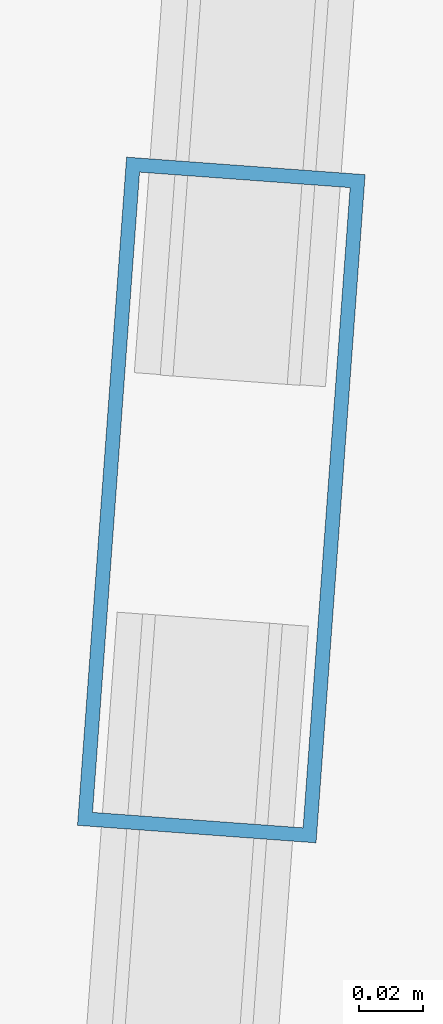
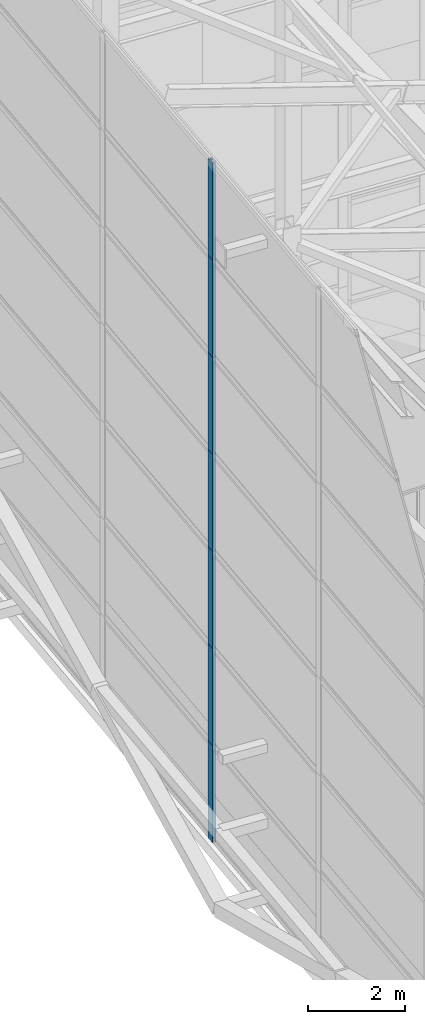
# One storey, part 15 of 56: 7 members, 7 elements without a shape of their own.
"""IFC4 building model written with IfcOpenShell, lengths in metres."""

from ifc_helpers import new_model, si_unit, direction, frame, origin, origin_2d, place, context, subcontext, project, spatial, hollow_rectangle, extrude, source, transform, mapped, material, layer, layer_set, material_profile, profile_set, type_object, element, aggregate, save


model = new_model("IFC4")

# Units and contexts
model_context = context("Model", 3, precision=1e-05, world=origin(), true_north=direction((0.0, 1.0)))
body_context = subcontext(model_context, "Body", "Model", "MODEL_VIEW")
ifc_project = project(units=[si_unit("LENGTHUNIT", "METRE"), si_unit("AREAUNIT", "SQUARE_METRE"), si_unit("VOLUMEUNIT", "CUBIC_METRE"), si_unit("PLANEANGLEUNIT", "RADIAN"), si_unit("MASSUNIT", "GRAM", prefix="KILO")], contexts=[model_context])

# Site, building, storey
site_placement = place(None, origin())
site = spatial("IfcSite", under=ifc_project, at=site_placement, CompositionType="ELEMENT")
building_placement = place(site_placement, origin())
building = spatial("IfcBuilding", under=site, at=building_placement, Name="Taldren Reach Tower", CompositionType="ELEMENT")
storey_placement = place(building_placement, frame((0.0, 0.0, 253.050048828125)))
storey = spatial("IfcBuildingStorey", under=building, at=storey_placement, Name="L77", CompositionType="ELEMENT", Elevation=253.050048828125)

# Curtain wall, member
ifc_material_1 = material(Name="Aluminium and Low-E Glass Unitised System", Category="aluminium")
ifc_layer = layer(ifc_material_1, 0.159912109375)
ifc_layer_set = layer_set([ifc_layer], Name="Aluminium and Low-E Glass Unitised System")
curtain_wall_type = type_object("IfcCurtainWallType", Name="CW-SYS-8", PredefinedType="NOTDEFINED", material=ifc_layer_set)
curtain_wall_1_placement = place(storey_placement, origin())
curtain_wall_1 = element("IfcCurtainWall", 1, at=curtain_wall_1_placement, inside=storey, type_object=curtain_wall_type, Name="Unitised curtain wall CW8-L77-W", PredefinedType="NOTDEFINED")
ifc_material_2 = material(Name="Anodised Aluminium 6063-T6", Category="aluminium")
ifc_material_profile = material_profile(ifc_material_2, hollow_rectangle(XDim=0.074951171875, YDim=0.2099609375, WallThickness=0.00439453125, at=origin_2d()), Name="ALU-210x75x4.5RHS")
ifc_profile_set = profile_set([ifc_material_profile], Name="Anodised Aluminium 6063-T6")
member_type = type_object("IfcMemberType", Name="CW-MUL-200", PredefinedType="MULLION", material=ifc_profile_set)
shared_shape_1 = source(origin(), body_context, "Body", "SweptSolid", [
    extrude(hollow_rectangle(XDim=0.074951171875, YDim=0.2099609375, WallThickness=0.00439453125, at=origin_2d()), origin(), (0.0, 0.0, 1.0), 2.4462890625),
])
member_1_placement = place(storey_placement, frame((12.78759765625, 24.390625, 0.0), z_axis=(0.0, 0.0, 1.0), x_axis=(0.997314470951, -0.073238282558, 0.0)))
member_1 = element("IfcMember", 2, at=member_1_placement, type_object=member_type, Name="CW-8 mullion 3", PredefinedType="MULLION", context=body_context, shape_type="MappedRepresentation", body=[
    mapped(shared_shape_1, transform((0.0, 0.0, 0.0), scale=1.0)),
])
aggregate(curtain_wall_1, [member_1])

curtain_wall_2_placement = place(storey_placement, origin())
curtain_wall_2 = element("IfcCurtainWall", 3, at=curtain_wall_2_placement, inside=storey, type_object=curtain_wall_type, Name="Unitised curtain wall CW8-L77-W-T3", PredefinedType="NOTDEFINED")
member_2_placement = place(storey_placement, frame((12.78759765625, 24.390625, 4.892822265625), z_axis=(0.0, 0.0, 1.0), x_axis=(0.997314470951, -0.073238282558, 0.0)))
member_2 = element("IfcMember", 4, at=member_2_placement, type_object=member_type, Name="CW-8 mullion 3", PredefinedType="MULLION", context=body_context, shape_type="MappedRepresentation", body=[
    mapped(shared_shape_1, transform((0.0, 0.0, 0.0), scale=1.0)),
])
aggregate(curtain_wall_2, [member_2])

curtain_wall_3_placement = place(storey_placement, origin())
curtain_wall_3 = element("IfcCurtainWall", 5, at=curtain_wall_3_placement, inside=storey, type_object=curtain_wall_type, Name="Unitised curtain wall CW8-L77-W-T5", PredefinedType="NOTDEFINED")
member_3_placement = place(storey_placement, frame((12.78759765625, 24.390625, 9.78564453125), z_axis=(0.0, 0.0, 1.0), x_axis=(0.997314470951, -0.073238282558, 0.0)))
member_3 = element("IfcMember", 6, at=member_3_placement, type_object=member_type, Name="CW-8 mullion 3", PredefinedType="MULLION", context=body_context, shape_type="MappedRepresentation", body=[
    mapped(shared_shape_1, transform((0.0, 0.0, 0.0), scale=1.0)),
])
aggregate(curtain_wall_3, [member_3])

curtain_wall_4_placement = place(storey_placement, origin())
curtain_wall_4 = element("IfcCurtainWall", 7, at=curtain_wall_4_placement, inside=storey, type_object=curtain_wall_type, Name="Unitised curtain wall CW8-L77-W-T7", PredefinedType="NOTDEFINED")
member_4_placement = place(storey_placement, frame((12.78759765625, 24.390625, 14.678466796875), z_axis=(0.0, 0.0, 1.0), x_axis=(0.997314470951, -0.073238282558, 0.0)))
member_4 = element("IfcMember", 8, at=member_4_placement, type_object=member_type, Name="CW-8 mullion 3", PredefinedType="MULLION", context=body_context, shape_type="MappedRepresentation", body=[
    mapped(shared_shape_1, transform((0.0, 0.0, 0.0), scale=1.0)),
])
aggregate(curtain_wall_4, [member_4])

curtain_wall_5_placement = place(storey_placement, origin())
curtain_wall_5 = element("IfcCurtainWall", 9, at=curtain_wall_5_placement, inside=storey, type_object=curtain_wall_type, Name="Unitised curtain wall CW8-L77-W-T2", PredefinedType="NOTDEFINED")
shared_shape_2 = source(origin(), body_context, "Body", "SweptSolid", [
    extrude(hollow_rectangle(XDim=0.074951171875, YDim=0.2099609375, WallThickness=0.00439453125, at=origin_2d()), origin(), (0.0, 0.0, 1.0), 2.446533203125),
])
member_5_placement = place(storey_placement, frame((12.78759765625, 24.390625, 2.4462890625), z_axis=(0.0, 0.0, 1.0), x_axis=(0.997314470951, -0.073238282558, 0.0)))
member_5 = element("IfcMember", 10, at=member_5_placement, type_object=member_type, Name="CW-8 mullion 3", PredefinedType="MULLION", context=body_context, shape_type="MappedRepresentation", body=[
    mapped(shared_shape_2, transform((0.0, 0.0, 0.0), scale=1.0)),
])
aggregate(curtain_wall_5, [member_5])

curtain_wall_6_placement = place(storey_placement, origin())
curtain_wall_6 = element("IfcCurtainWall", 11, at=curtain_wall_6_placement, inside=storey, type_object=curtain_wall_type, Name="Unitised curtain wall CW8-L77-W-T4", PredefinedType="NOTDEFINED")
member_6_placement = place(storey_placement, frame((12.78759765625, 24.390625, 7.339111328125), z_axis=(0.0, 0.0, 1.0), x_axis=(0.997314470951, -0.073238282558, 0.0)))
member_6 = element("IfcMember", 12, at=member_6_placement, type_object=member_type, Name="CW-8 mullion 3", PredefinedType="MULLION", context=body_context, shape_type="MappedRepresentation", body=[
    mapped(shared_shape_2, transform((0.0, 0.0, 0.0), scale=1.0)),
])
aggregate(curtain_wall_6, [member_6])

curtain_wall_7_placement = place(storey_placement, origin())
curtain_wall_7 = element("IfcCurtainWall", 13, at=curtain_wall_7_placement, inside=storey, type_object=curtain_wall_type, Name="Unitised curtain wall CW8-L77-W-T6", PredefinedType="NOTDEFINED")
member_7_placement = place(storey_placement, frame((12.78759765625, 24.390625, 12.23193359375), z_axis=(0.0, 0.0, 1.0), x_axis=(0.997314470951, -0.073238282558, 0.0)))
member_7 = element("IfcMember", 14, at=member_7_placement, type_object=member_type, Name="CW-8 mullion 3", PredefinedType="MULLION", context=body_context, shape_type="MappedRepresentation", body=[
    mapped(shared_shape_2, transform((0.0, 0.0, 0.0), scale=1.0)),
])
aggregate(curtain_wall_7, [member_7])

save(model, "model.ifc")
